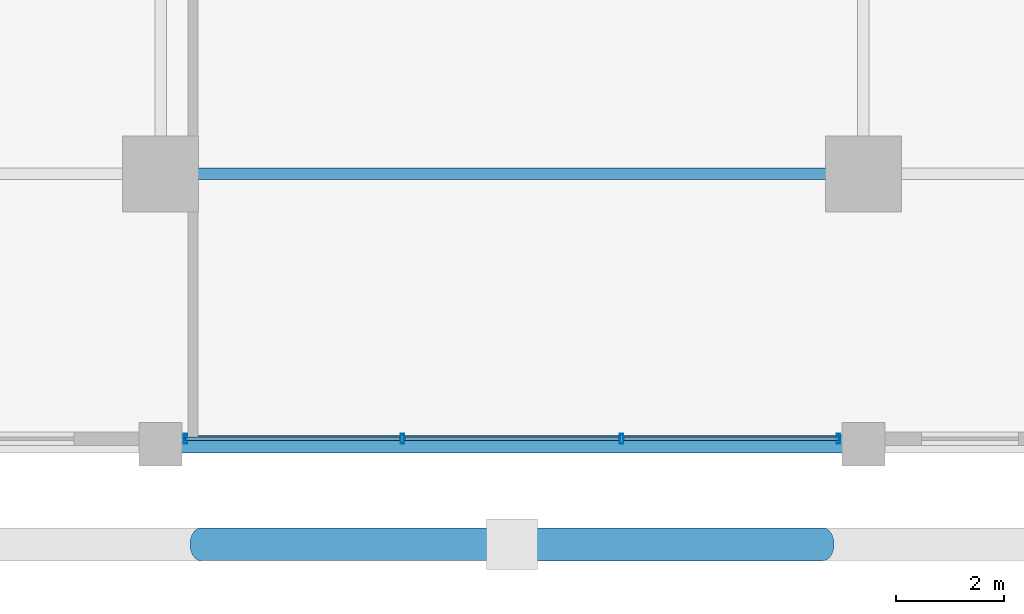
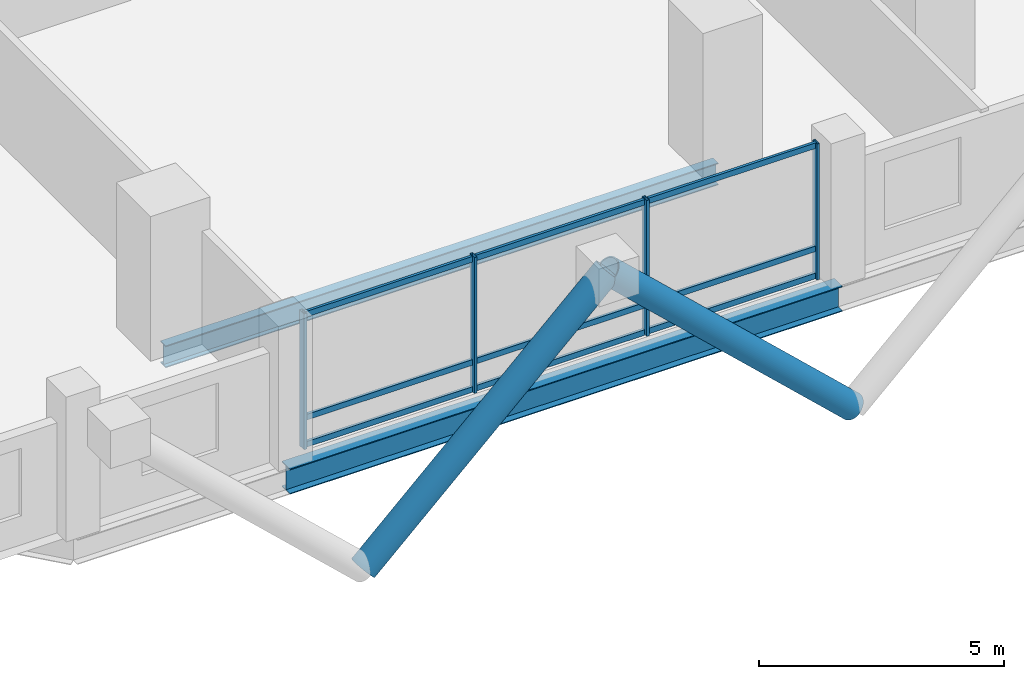
# One storey, part 2 of 23: 15 members, 2 beams, 1 element without a shape of its own.
"""IFC4 building model written with IfcOpenShell, lengths in metres."""

import ifcopenshell
import ifcopenshell.guid

model = None  # the IFC model being written
_history = None  # IfcOwnerHistory: only IFC2X3 demands one
_inside = {}  # id of a spatial element -> (the spatial element, [elements in it])
_under = {}  # id of a project, library or spatial element -> (it, [spatial elements below it])
_declared = {}  # id of a project -> (the project, [libraries it declares])
_typed = {}  # id of a type object -> (the type object, [elements of that type])
_made_of = {}  # id of a material, layer set ... -> (it, [elements and type objects made of it])


def new_model(schema):
    """Start an empty IFC model of exactly this schema.

    Asked for "IFC4X3", IfcOpenShell would pick the latest addendum, in which some entities
    have other attributes; the version numbers below select the first issue.
    IFC2X3 requires an IfcOwnerHistory on every rooted entity: one is made here for all.
    """
    global model, _history
    if schema == "IFC4X3":
        model = ifcopenshell.file(schema_version=(4, 3, 0, 0))
    else:
        model = ifcopenshell.file(schema=schema)
    _inside.clear()
    _under.clear()
    _declared.clear()
    _typed.clear()
    _made_of.clear()
    _history = None
    if model.schema == "IFC2X3":
        org = make("IfcOrganization", Name="unknown")
        user = make(
            "IfcPersonAndOrganization",
            ThePerson=make("IfcPerson", FamilyName="unknown"),
            TheOrganization=org,
        )
        app = make(
            "IfcApplication",
            ApplicationDeveloper=org,
            Version="unknown",
            ApplicationFullName="unknown",
            ApplicationIdentifier="unknown",
        )
        _history = make(
            "IfcOwnerHistory",
            OwningUser=user,
            OwningApplication=app,
            ChangeAction="ADDED",
            CreationDate=0,
        )
    return model


def make(cls, **values):
    """One entity of the class cls with the attributes given. An attribute that is None is left unset."""
    return model.create_entity(
        cls, **{name: value for name, value in values.items() if value is not None}
    )


def rooted(cls, **values):
    """An entity with a GlobalId (a new one), such as an element, a storey or a relation."""
    return make(cls, GlobalId=ifcopenshell.guid.new(), OwnerHistory=_history, **values)


def si_unit(unit_type, name, prefix=None):
    """IfcSIUnit, for example si_unit("LENGTHUNIT", "METRE", prefix="MILLI")."""
    return make("IfcSIUnit", UnitType=unit_type, Prefix=prefix, Name=name)


def assignment(units):
    """IfcUnitAssignment: the units of a project."""
    return None if units is None else make("IfcUnitAssignment", Units=units)


def point(xyz):
    """IfcCartesianPoint."""
    return None if xyz is None else make("IfcCartesianPoint", Coordinates=xyz)


def direction(xyz):
    """IfcDirection."""
    return None if xyz is None else make("IfcDirection", DirectionRatios=xyz)


def frame(location, z_axis=None, x_axis=None):
    """IfcAxis2Placement3D, a coordinate frame: its origin and axes. An axis left out is left unset."""
    return make(
        "IfcAxis2Placement3D",
        Location=point(location),
        Axis=direction(z_axis),
        RefDirection=direction(x_axis),
    )


def frame_2d(location, x_axis=None):
    """IfcAxis2Placement2D, a coordinate frame in the plane: its origin and x axis."""
    return make(
        "IfcAxis2Placement2D", Location=point(location), RefDirection=direction(x_axis)
    )


def origin():
    """The frame at (0, 0, 0) with its axes left unset."""
    return frame((0.0, 0.0, 0.0))


def origin_2d():
    """The frame at (0, 0) in the plane with its x axis left unset."""
    return frame_2d((0.0, 0.0))


def place(relative_to, where):
    """IfcLocalPlacement: puts the frame where relative to a parent placement (None: the world)."""
    return make(
        "IfcLocalPlacement", PlacementRelTo=relative_to, RelativePlacement=where
    )


def context(
    kind, dimensions, precision=None, world=None, true_north=None, identifier=None
):
    """IfcGeometricRepresentationContext, for example the 3D "Model" context."""
    return make(
        "IfcGeometricRepresentationContext",
        ContextIdentifier=identifier,
        ContextType=kind,
        CoordinateSpaceDimension=dimensions,
        Precision=precision,
        WorldCoordinateSystem=world,
        TrueNorth=true_north,
    )


def subcontext(parent, identifier, kind, view, scale=None):
    """IfcGeometricRepresentationSubContext, for example "Body" below "Model"."""
    return make(
        "IfcGeometricRepresentationSubContext",
        ContextIdentifier=identifier,
        ContextType=kind,
        ParentContext=parent,
        TargetScale=scale,
        TargetView=view,
    )


def project(units=None, contexts=None):
    """IfcProject with its units and contexts."""
    return rooted(
        "IfcProject",
        Name="project",
        RepresentationContexts=contexts,
        UnitsInContext=assignment(units),
    )


def spatial(cls, under=None, at=None, **own):
    """A site, building, storey or space (cls), placed at a placement, below another one or the project."""
    s = rooted(cls, ObjectPlacement=at, **own)
    if under is not None:
        _under.setdefault(under.id(), (under, []))[1].append(s)
    return s


def profile(cls, at=None, kind="AREA", **sizes):
    """A parametric profile (cls). Its sizes go by their IFC names, for example OverallWidth=200.0."""
    return make(cls, ProfileType=kind, Position=at, **sizes)


def hollow_rectangle(**sizes):
    """IfcRectangleHollowProfileDef."""
    return profile("IfcRectangleHollowProfileDef", **sizes)


def hollow_circle(**sizes):
    """IfcCircleHollowProfileDef."""
    return profile("IfcCircleHollowProfileDef", **sizes)


def i_section(**sizes):
    """IfcIShapeProfileDef."""
    return profile("IfcIShapeProfileDef", **sizes)


def extrude(swept, where, along, depth):
    """IfcExtrudedAreaSolid: the profile swept, set in the frame where, extruded along a direction by depth."""
    return make(
        "IfcExtrudedAreaSolid",
        SweptArea=swept,
        Position=where,
        ExtrudedDirection=direction(along),
        Depth=depth,
    )


def shape(context_of_items, identifier, shape_type, items):
    """IfcShapeRepresentation: the items that make up one representation, for example the "Body"."""
    return make(
        "IfcShapeRepresentation",
        ContextOfItems=context_of_items,
        RepresentationIdentifier=identifier,
        RepresentationType=shape_type,
        Items=items,
    )


def material(Name=None, Category=None):
    """IfcMaterial."""
    return make("IfcMaterial", Name=Name, Category=Category)


def layer(
    of_material, thickness, ventilated=None, Name=None, Category=None, Priority=None
):
    """IfcMaterialLayer: one layer of a wall or slab, of a material (None: an air gap)."""
    return make(
        "IfcMaterialLayer",
        Material=of_material,
        LayerThickness=thickness,
        IsVentilated=ventilated,
        Name=Name,
        Category=Category,
        Priority=Priority,
    )


def layer_set(layers, Name=None):
    """IfcMaterialLayerSet."""
    return make("IfcMaterialLayerSet", MaterialLayers=layers, LayerSetName=Name)


def material_profile(
    of_material, cross_section, Name=None, Category=None, Priority=None
):
    """IfcMaterialProfile: a cross section and its material."""
    return make(
        "IfcMaterialProfile",
        Name=Name,
        Material=of_material,
        Profile=cross_section,
        Priority=Priority,
        Category=Category,
    )


def profile_set(profiles, Name=None, composite=None):
    """IfcMaterialProfileSet."""
    return make(
        "IfcMaterialProfileSet",
        Name=Name,
        MaterialProfiles=profiles,
        CompositeProfile=composite,
    )


def made_of(thing, what):
    """Note that an element or type object is made of a material, layer set ...; save() writes the relation."""
    if what is not None:
        _made_of.setdefault(what.id(), (what, []))[1].append(thing)
    return thing


def type_object(cls, material=None, **own):
    """A type object (cls), such as IfcWallType, which elements share."""
    return made_of(rooted(cls, **own), material)


def element(
    cls,
    number,
    at=None,
    inside=None,
    cuts=None,
    type_object=None,
    material=None,
    context=None,
    identifier="Body",
    shape_type=None,
    held_by="IfcProductDefinitionShape",
    body=None,
    shapes=None,
    **own,
):
    """One element of the class cls, such as IfcWall. Its Tag is "e" and its number.

    at: its placement. inside: the storey or other place that contains it. cuts: it is an
    opening in that element (IfcRelVoidsElement). A single representation is given by context,
    identifier, shape_type and body (its items); several are given by shapes. held_by: the class
    of the entity that holds the representations. save() writes the other relations.
    """
    e = rooted(cls, Tag="e%d" % number, ObjectPlacement=at, **own)
    if body is not None:
        shapes = [shape(context, identifier, shape_type, body)]
    if shapes is not None:
        e.Representation = make(held_by, Representations=shapes)
    if inside is not None:
        _inside.setdefault(inside.id(), (inside, []))[1].append(e)
    if cuts is not None:
        rooted(
            "IfcRelVoidsElement", RelatingBuildingElement=cuts, RelatedOpeningElement=e
        )
    if type_object is not None:
        _typed.setdefault(type_object.id(), (type_object, []))[1].append(e)
    return made_of(e, material)


def aggregate(whole, parts):
    """IfcRelAggregates: a whole, such as a stair, and the parts it consists of."""
    return rooted("IfcRelAggregates", RelatingObject=whole, RelatedObjects=parts)


def save(model, path):
    """Write the relations noted so far, then the file.

    IfcRelAggregates (storeys below a building ...), IfcRelContainedInSpatialStructure (elements
    in a storey), IfcRelDefinesByType, IfcRelAssociatesMaterial and IfcRelDeclares: one each for
    every whole, place, type object, material and project.
    """
    for whole, parts in _under.values():
        aggregate(whole, parts)
    for where, things in _inside.values():
        rooted(
            "IfcRelContainedInSpatialStructure",
            RelatedElements=things,
            RelatingStructure=where,
        )
    for kind, things in _typed.values():
        rooted("IfcRelDefinesByType", RelatedObjects=things, RelatingType=kind)
    for what, things in _made_of.values():
        rooted("IfcRelAssociatesMaterial", RelatedObjects=things, RelatingMaterial=what)
    for by, libraries in _declared.values():
        rooted("IfcRelDeclares", RelatingContext=by, RelatedDefinitions=libraries)
    model.write(path)


model = new_model("IFC4")

# Units and contexts
model_context = context("Model", 3, precision=1e-05, world=origin(), true_north=direction((0.0, 1.0)))
body_context = subcontext(model_context, "Body", "Model", "MODEL_VIEW")
ifc_project = project(units=[si_unit("LENGTHUNIT", "METRE"), si_unit("AREAUNIT", "SQUARE_METRE"), si_unit("VOLUMEUNIT", "CUBIC_METRE"), si_unit("PLANEANGLEUNIT", "RADIAN"), si_unit("MASSUNIT", "GRAM", prefix="KILO")], contexts=[model_context])

# Site, building, storey
site_placement = place(None, origin())
site = spatial("IfcSite", under=ifc_project, at=site_placement, CompositionType="ELEMENT")
building_placement = place(site_placement, origin())
building = spatial("IfcBuilding", under=site, at=building_placement, Name="Barlavira Tower and Art Museum", CompositionType="ELEMENT")
storey_placement = place(building_placement, frame((0.0, 0.0, 57.60009765625)))
storey = spatial("IfcBuildingStorey", under=building, at=storey_placement, Name="L13", CompositionType="ELEMENT", Elevation=57.60009765625)

# Curtain wall, members
ifc_material_1 = material(Name="Low-iron coastal laminated glass", Category="glass")
ifc_layer = layer(ifc_material_1, 0.179931640625, Name="Low-iron coastal laminated glass")
ifc_layer_set = layer_set([ifc_layer], Name="Low-iron coastal laminated glass")
curtain_wall_type = type_object("IfcCurtainWallType", Name="Pale-Metal Unitised Curtain Wall Zone 1", PredefinedType="NOTDEFINED", material=ifc_layer_set)
curtain_wall_placement = place(storey_placement, origin())
curtain_wall = element("IfcCurtainWall", 1, at=curtain_wall_placement, inside=storey, type_object=curtain_wall_type, Name="L13 Curtain Wall CW1-L13-S-B3", PredefinedType="NOTDEFINED")
ifc_material_2 = material(Name="Pale anodised aluminium", Category="aluminium")
ifc_material_profile_1 = material_profile(ifc_material_2, hollow_rectangle(XDim=0.06494140625, YDim=0.179931640625, WallThickness=0.00390625, at=origin_2d()), Name="ALU-MULL 65x180x4")
ifc_profile_set_1 = profile_set([ifc_material_profile_1], Name="Pale anodised aluminium")
member_type_1 = type_object("IfcMemberType", Name="Curtain Wall Pale-Metal Mullion 65x180", PredefinedType="MULLION", material=ifc_profile_set_1)
member_1_placement = place(storey_placement, frame((-6.034912109375, -24.89990234375, 0.0), z_axis=(0.0, 0.0, 1.0), x_axis=(1.0, 0.0, 0.0)))
member_1 = element("IfcMember", 2, at=member_1_placement, type_object=member_type_1, Name="CW1-L13-S-B3 Mullion 0", PredefinedType="MULLION", context=body_context, shape_type="SweptSolid", body=[
    extrude(hollow_rectangle(XDim=0.06494140625, YDim=0.179931640625, WallThickness=0.00390625, at=origin_2d()), origin(), (0.0, 0.0, 1.0), 3.3798828125),
])
member_2_placement = place(storey_placement, frame((-2.026611328125, -24.89990234375, 0.0), z_axis=(0.0, 0.0, 1.0), x_axis=(1.0, 0.0, 0.0)))
member_2 = element("IfcMember", 3, at=member_2_placement, type_object=member_type_1, Name="CW1-L13-S-B3 Mullion 1", PredefinedType="MULLION", context=body_context, shape_type="SweptSolid", body=[
    extrude(hollow_rectangle(XDim=0.06494140625, YDim=0.179931640625, WallThickness=0.00390625, at=origin_2d()), origin(), (0.0, 0.0, 1.0), 3.3798828125),
])
member_3_placement = place(storey_placement, frame((2.026611328125, -24.89990234375, 0.0), z_axis=(0.0, 0.0, 1.0), x_axis=(1.0, 0.0, 0.0)))
member_3 = element("IfcMember", 4, at=member_3_placement, type_object=member_type_1, Name="CW1-L13-S-B3 Mullion 2", PredefinedType="MULLION", context=body_context, shape_type="SweptSolid", body=[
    extrude(hollow_rectangle(XDim=0.06494140625, YDim=0.179931640625, WallThickness=0.00390625, at=origin_2d()), origin(), (0.0, 0.0, 1.0), 3.3798828125),
])
member_4_placement = place(storey_placement, frame((6.034912109375, -24.89990234375, 0.0), z_axis=(0.0, 0.0, 1.0), x_axis=(1.0, 0.0, 0.0)))
member_4 = element("IfcMember", 5, at=member_4_placement, type_object=member_type_1, Name="CW1-L13-S-B3 Mullion 3", PredefinedType="MULLION", context=body_context, shape_type="SweptSolid", body=[
    extrude(hollow_rectangle(XDim=0.06494140625, YDim=0.179931640625, WallThickness=0.00390625, at=origin_2d()), origin(), (0.0, 0.0, 1.0), 3.3798828125),
])
ifc_material_profile_2 = material_profile(ifc_material_2, hollow_rectangle(XDim=0.06494140625, YDim=0.139892578125, WallThickness=0.00390625, at=origin_2d()), Name="ALU-TRAN 65x140x4")
ifc_profile_set_2 = profile_set([ifc_material_profile_2], Name="Pale anodised aluminium")
member_type_2 = type_object("IfcMemberType", Name="Curtain Wall Pale-Metal Transom 65x140", PredefinedType="USERDEFINED", material=ifc_profile_set_2)
member_5_placement = place(storey_placement, frame((-6.034912109375, -24.89990234375, 0.06982421875), z_axis=(1.0, 0.0, 0.0), x_axis=(0.0, 1.0, 0.0)))
member_5 = element("IfcMember", 6, at=member_5_placement, type_object=member_type_2, Name="CW1-L13-S-B3 Transom 0.1", ObjectType="TRANSOM", PredefinedType="USERDEFINED", context=body_context, shape_type="SweptSolid", body=[
    extrude(hollow_rectangle(XDim=0.06494140625, YDim=0.139892578125, WallThickness=0.00390625, at=origin_2d()), origin(), (0.0, 0.0, 1.0), 3.963134765625),
])
member_6_placement = place(storey_placement, frame((-6.034912109375, -24.89990234375, 0.743896484375), z_axis=(1.0, 0.0, 0.0), x_axis=(0.0, 1.0, 0.0)))
member_6 = element("IfcMember", 7, at=member_6_placement, type_object=member_type_2, Name="CW1-L13-S-B3 Transom 0.2", ObjectType="TRANSOM", PredefinedType="USERDEFINED", context=body_context, shape_type="SweptSolid", body=[
    extrude(hollow_rectangle(XDim=0.06494140625, YDim=0.139892578125, WallThickness=0.00390625, at=origin_2d()), origin(), (0.0, 0.0, 1.0), 3.963134765625),
])
member_7_placement = place(storey_placement, frame((-6.034912109375, -24.89990234375, 3.309814453125), z_axis=(1.0, 0.0, 0.0), x_axis=(0.0, 1.0, 0.0)))
member_7 = element("IfcMember", 8, at=member_7_placement, type_object=member_type_2, Name="CW1-L13-S-B3 Transom 0.3", ObjectType="TRANSOM", PredefinedType="USERDEFINED", context=body_context, shape_type="SweptSolid", body=[
    extrude(hollow_rectangle(XDim=0.06494140625, YDim=0.139892578125, WallThickness=0.00390625, at=origin_2d()), origin(), (0.0, 0.0, 1.0), 3.963134765625),
])
member_8_placement = place(storey_placement, frame((-1.981689453125, -24.89990234375, 0.06982421875), z_axis=(1.0, 0.0, 0.0), x_axis=(0.0, 1.0, 0.0)))
member_8 = element("IfcMember", 9, at=member_8_placement, type_object=member_type_2, Name="CW1-L13-S-B3 Transom 1.1", ObjectType="TRANSOM", PredefinedType="USERDEFINED", context=body_context, shape_type="SweptSolid", body=[
    extrude(hollow_rectangle(XDim=0.06494140625, YDim=0.139892578125, WallThickness=0.00390625, at=origin_2d()), origin(), (0.0, 0.0, 1.0), 3.96337890625),
])
member_9_placement = place(storey_placement, frame((-1.981689453125, -24.89990234375, 0.743896484375), z_axis=(1.0, 0.0, 0.0), x_axis=(0.0, 1.0, 0.0)))
member_9 = element("IfcMember", 10, at=member_9_placement, type_object=member_type_2, Name="CW1-L13-S-B3 Transom 1.2", ObjectType="TRANSOM", PredefinedType="USERDEFINED", context=body_context, shape_type="SweptSolid", body=[
    extrude(hollow_rectangle(XDim=0.06494140625, YDim=0.139892578125, WallThickness=0.00390625, at=origin_2d()), origin(), (0.0, 0.0, 1.0), 3.96337890625),
])
member_10_placement = place(storey_placement, frame((-1.981689453125, -24.89990234375, 3.309814453125), z_axis=(1.0, 0.0, 0.0), x_axis=(0.0, 1.0, 0.0)))
member_10 = element("IfcMember", 11, at=member_10_placement, type_object=member_type_2, Name="CW1-L13-S-B3 Transom 1.3", ObjectType="TRANSOM", PredefinedType="USERDEFINED", context=body_context, shape_type="SweptSolid", body=[
    extrude(hollow_rectangle(XDim=0.06494140625, YDim=0.139892578125, WallThickness=0.00390625, at=origin_2d()), origin(), (0.0, 0.0, 1.0), 3.96337890625),
])
member_11_placement = place(storey_placement, frame((2.07177734375, -24.89990234375, 0.06982421875), z_axis=(1.0, 0.0, 0.0), x_axis=(0.0, 1.0, 0.0)))
member_11 = element("IfcMember", 12, at=member_11_placement, type_object=member_type_2, Name="CW1-L13-S-B3 Transom 2.1", ObjectType="TRANSOM", PredefinedType="USERDEFINED", context=body_context, shape_type="SweptSolid", body=[
    extrude(hollow_rectangle(XDim=0.06494140625, YDim=0.139892578125, WallThickness=0.00390625, at=origin_2d()), origin(), (0.0, 0.0, 1.0), 3.963134765625),
])
member_12_placement = place(storey_placement, frame((2.07177734375, -24.89990234375, 0.743896484375), z_axis=(1.0, 0.0, 0.0), x_axis=(0.0, 1.0, 0.0)))
member_12 = element("IfcMember", 13, at=member_12_placement, type_object=member_type_2, Name="CW1-L13-S-B3 Transom 2.2", ObjectType="TRANSOM", PredefinedType="USERDEFINED", context=body_context, shape_type="SweptSolid", body=[
    extrude(hollow_rectangle(XDim=0.06494140625, YDim=0.139892578125, WallThickness=0.00390625, at=origin_2d()), origin(), (0.0, 0.0, 1.0), 3.963134765625),
])
member_13_placement = place(storey_placement, frame((2.07177734375, -24.89990234375, 3.309814453125), z_axis=(1.0, 0.0, 0.0), x_axis=(0.0, 1.0, 0.0)))
member_13 = element("IfcMember", 14, at=member_13_placement, type_object=member_type_2, Name="CW1-L13-S-B3 Transom 2.3", ObjectType="TRANSOM", PredefinedType="USERDEFINED", context=body_context, shape_type="SweptSolid", body=[
    extrude(hollow_rectangle(XDim=0.06494140625, YDim=0.139892578125, WallThickness=0.00390625, at=origin_2d()), origin(), (0.0, 0.0, 1.0), 3.963134765625),
])
aggregate(curtain_wall, [member_1, member_2, member_3, member_4, member_5, member_6, member_7, member_8, member_9, member_10, member_11, member_12, member_13])

# Members
ifc_material_3 = material(Name="Steel S355", Category="steel")
ifc_material_profile_3 = material_profile(ifc_material_3, hollow_circle(Radius=0.304931640625, WallThickness=0.028076171875, at=origin_2d()), Name="CHS 610.0x28.0")
ifc_profile_set_3 = profile_set([ifc_material_profile_3], Name="Steel S355")
member_type_3 = type_object("IfcMemberType", Name="Pale-Metal Exoskeleton Diagrid Tube CHS 610x28 Steel S355", PredefinedType="BRACE", material=ifc_profile_set_3)
for number, where, z_axis, x_axis, name in (
    (15, (-5.75, -26.85009765625, -1.920166015625), (0.728934650808, 0.0, 0.684583285548), (0.0, 1.0, 0.0), "L13 Exoskeleton Diagrid Tube S"),
    (16, (5.75, -26.85009765625, -1.920166015625), (-0.728934650808, 0.0, 0.684583285548), (0.0, -1.0, 0.0), "L13 Exoskeleton Diagrid Tube S"),
):
    element("IfcMember", number, at=place(storey_placement, frame(where, z_axis=z_axis, x_axis=x_axis)), inside=storey, type_object=member_type_3, Name=name, PredefinedType="BRACE", context=body_context, shape_type="SweptSolid", body=[
        extrude(hollow_circle(Radius=0.304931640625, WallThickness=0.028076171875, at=origin_2d()), origin(), (0.0, 0.0, 1.0), 7.88818359375),
    ])

# Beams
ifc_material_profile_4 = material_profile(ifc_material_3, i_section(OverallWidth=0.327880859375, OverallDepth=0.62890625, WebThickness=0.013916015625, FlangeThickness=0.021484375, at=origin_2d()), Name="W610x174.0")
ifc_profile_set_4 = profile_set([ifc_material_profile_4], Name="Steel S355")
beam_type_1 = type_object("IfcBeamType", Name="Perimeter Spandrel Edge Beam W610x174 Steel S355", PredefinedType="SPANDREL", material=ifc_profile_set_4)
beam_1_placement = place(storey_placement, frame((-6.5, -25.0, -0.53466796875), z_axis=(1.0, 0.0, 0.0), x_axis=(0.0, 1.0, 0.0)))
element("IfcBeam", 17, at=beam_1_placement, inside=storey, type_object=beam_type_1, Name="L13 Spandrel 2", PredefinedType="SPANDREL", context=body_context, shape_type="SweptSolid", body=[
    extrude(i_section(OverallWidth=0.327880859375, OverallDepth=0.62890625, WebThickness=0.013916015625, FlangeThickness=0.021484375, at=origin_2d()), origin(), (0.0, 0.0, 1.0), 13.0),
])
ifc_material_profile_5 = material_profile(ifc_material_3, i_section(OverallWidth=0.214111328125, OverallDepth=0.549072265625, WebThickness=0.0146484375, FlangeThickness=0.023681640625, at=origin_2d()), Name="W530x138.0")
ifc_profile_set_5 = profile_set([ifc_material_profile_5], Name="Steel S355")
beam_type_2 = type_object("IfcBeamType", Name="Zone 1 Primary Floor Girder W530x138 Steel S355", PredefinedType="BEAM", material=ifc_profile_set_5)
beam_2_placement = place(storey_placement, frame((-6.5, -20.0, -0.49462890625), z_axis=(1.0, 0.0, 0.0), x_axis=(0.0, 1.0, 0.0)))
element("IfcBeam", 18, at=beam_2_placement, inside=storey, type_object=beam_type_2, Name="L13 Girder M-S2", PredefinedType="BEAM", context=body_context, shape_type="SweptSolid", body=[
    extrude(i_section(OverallWidth=0.214111328125, OverallDepth=0.549072265625, WebThickness=0.0146484375, FlangeThickness=0.023681640625, at=origin_2d()), origin(), (0.0, 0.0, 1.0), 13.0),
])

save(model, "model.ifc")
